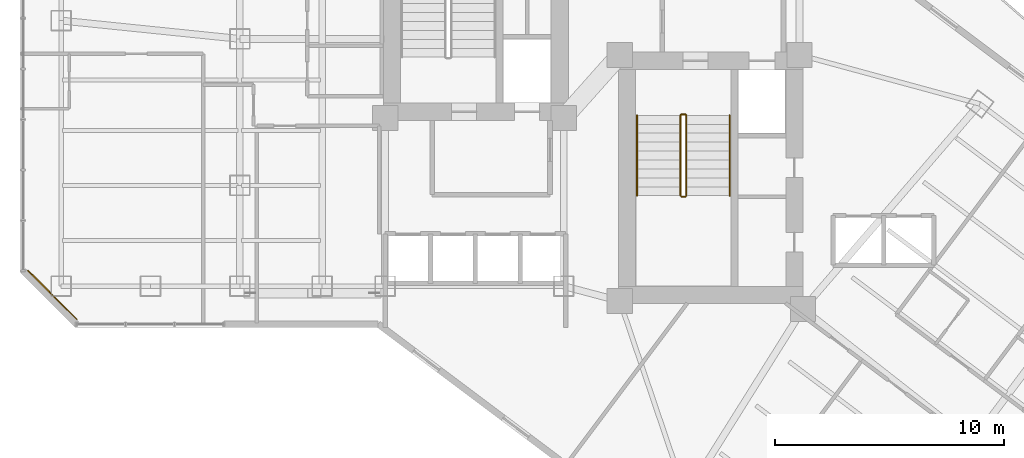
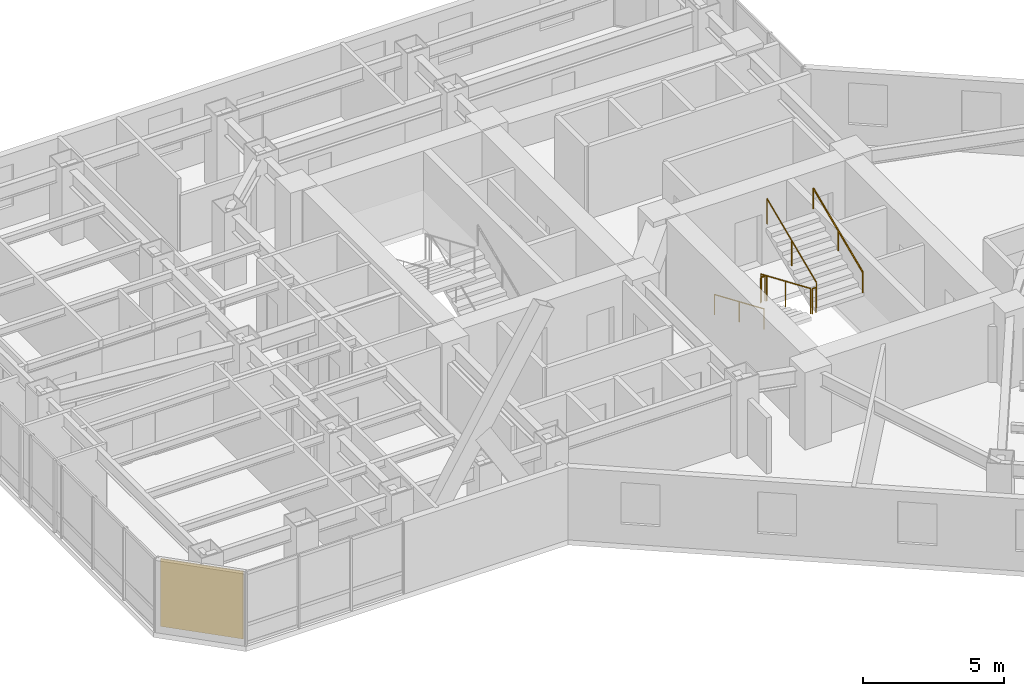
# One storey, part 27 of 30: 7 railings, 1 covering.
"""IFC4 building model written with IfcOpenShell, lengths in metres."""

import ifcopenshell
import ifcopenshell.guid

model = None  # the IFC model being written
_history = None  # IfcOwnerHistory: only IFC2X3 demands one
_inside = {}  # id of a spatial element -> (the spatial element, [elements in it])
_under = {}  # id of a project, library or spatial element -> (it, [spatial elements below it])
_declared = {}  # id of a project -> (the project, [libraries it declares])
_typed = {}  # id of a type object -> (the type object, [elements of that type])
_made_of = {}  # id of a material, layer set ... -> (it, [elements and type objects made of it])


def new_model(schema):
    """Start an empty IFC model of exactly this schema.

    Asked for "IFC4X3", IfcOpenShell would pick the latest addendum, in which some entities
    have other attributes; the version numbers below select the first issue.
    IFC2X3 requires an IfcOwnerHistory on every rooted entity: one is made here for all.
    """
    global model, _history
    if schema == "IFC4X3":
        model = ifcopenshell.file(schema_version=(4, 3, 0, 0))
    else:
        model = ifcopenshell.file(schema=schema)
    _inside.clear()
    _under.clear()
    _declared.clear()
    _typed.clear()
    _made_of.clear()
    _history = None
    if model.schema == "IFC2X3":
        org = make("IfcOrganization", Name="unknown")
        user = make(
            "IfcPersonAndOrganization",
            ThePerson=make("IfcPerson", FamilyName="unknown"),
            TheOrganization=org,
        )
        app = make(
            "IfcApplication",
            ApplicationDeveloper=org,
            Version="unknown",
            ApplicationFullName="unknown",
            ApplicationIdentifier="unknown",
        )
        _history = make(
            "IfcOwnerHistory",
            OwningUser=user,
            OwningApplication=app,
            ChangeAction="ADDED",
            CreationDate=0,
        )
    return model


def make(cls, **values):
    """One entity of the class cls with the attributes given. An attribute that is None is left unset."""
    return model.create_entity(
        cls, **{name: value for name, value in values.items() if value is not None}
    )


def rooted(cls, **values):
    """An entity with a GlobalId (a new one), such as an element, a storey or a relation."""
    return make(cls, GlobalId=ifcopenshell.guid.new(), OwnerHistory=_history, **values)


def si_unit(unit_type, name, prefix=None):
    """IfcSIUnit, for example si_unit("LENGTHUNIT", "METRE", prefix="MILLI")."""
    return make("IfcSIUnit", UnitType=unit_type, Prefix=prefix, Name=name)


def assignment(units):
    """IfcUnitAssignment: the units of a project."""
    return None if units is None else make("IfcUnitAssignment", Units=units)


def point(xyz):
    """IfcCartesianPoint."""
    return None if xyz is None else make("IfcCartesianPoint", Coordinates=xyz)


def direction(xyz):
    """IfcDirection."""
    return None if xyz is None else make("IfcDirection", DirectionRatios=xyz)


def frame(location, z_axis=None, x_axis=None):
    """IfcAxis2Placement3D, a coordinate frame: its origin and axes. An axis left out is left unset."""
    return make(
        "IfcAxis2Placement3D",
        Location=point(location),
        Axis=direction(z_axis),
        RefDirection=direction(x_axis),
    )


def frame_2d(location, x_axis=None):
    """IfcAxis2Placement2D, a coordinate frame in the plane: its origin and x axis."""
    return make(
        "IfcAxis2Placement2D", Location=point(location), RefDirection=direction(x_axis)
    )


def origin():
    """The frame at (0, 0, 0) with its axes left unset."""
    return frame((0.0, 0.0, 0.0))


def origin_2d():
    """The frame at (0, 0) in the plane with its x axis left unset."""
    return frame_2d((0.0, 0.0))


def place(relative_to, where):
    """IfcLocalPlacement: puts the frame where relative to a parent placement (None: the world)."""
    return make(
        "IfcLocalPlacement", PlacementRelTo=relative_to, RelativePlacement=where
    )


def context(
    kind, dimensions, precision=None, world=None, true_north=None, identifier=None
):
    """IfcGeometricRepresentationContext, for example the 3D "Model" context."""
    return make(
        "IfcGeometricRepresentationContext",
        ContextIdentifier=identifier,
        ContextType=kind,
        CoordinateSpaceDimension=dimensions,
        Precision=precision,
        WorldCoordinateSystem=world,
        TrueNorth=true_north,
    )


def subcontext(parent, identifier, kind, view, scale=None):
    """IfcGeometricRepresentationSubContext, for example "Body" below "Model"."""
    return make(
        "IfcGeometricRepresentationSubContext",
        ContextIdentifier=identifier,
        ContextType=kind,
        ParentContext=parent,
        TargetScale=scale,
        TargetView=view,
    )


def project(units=None, contexts=None):
    """IfcProject with its units and contexts."""
    return rooted(
        "IfcProject",
        Name="project",
        RepresentationContexts=contexts,
        UnitsInContext=assignment(units),
    )


def spatial(cls, under=None, at=None, **own):
    """A site, building, storey or space (cls), placed at a placement, below another one or the project."""
    s = rooted(cls, ObjectPlacement=at, **own)
    if under is not None:
        _under.setdefault(under.id(), (under, []))[1].append(s)
    return s


def profile(cls, at=None, kind="AREA", **sizes):
    """A parametric profile (cls). Its sizes go by their IFC names, for example OverallWidth=200.0."""
    return make(cls, ProfileType=kind, Position=at, **sizes)


def rectangle(**sizes):
    """IfcRectangleProfileDef."""
    return profile("IfcRectangleProfileDef", **sizes)


def circle(**sizes):
    """IfcCircleProfileDef."""
    return profile("IfcCircleProfileDef", **sizes)


def extrude(swept, where, along, depth):
    """IfcExtrudedAreaSolid: the profile swept, set in the frame where, extruded along a direction by depth."""
    return make(
        "IfcExtrudedAreaSolid",
        SweptArea=swept,
        Position=where,
        ExtrudedDirection=direction(along),
        Depth=depth,
    )


def shape(context_of_items, identifier, shape_type, items):
    """IfcShapeRepresentation: the items that make up one representation, for example the "Body"."""
    return make(
        "IfcShapeRepresentation",
        ContextOfItems=context_of_items,
        RepresentationIdentifier=identifier,
        RepresentationType=shape_type,
        Items=items,
    )


def material(Name=None, Category=None):
    """IfcMaterial."""
    return make("IfcMaterial", Name=Name, Category=Category)


def layer(
    of_material, thickness, ventilated=None, Name=None, Category=None, Priority=None
):
    """IfcMaterialLayer: one layer of a wall or slab, of a material (None: an air gap)."""
    return make(
        "IfcMaterialLayer",
        Material=of_material,
        LayerThickness=thickness,
        IsVentilated=ventilated,
        Name=Name,
        Category=Category,
        Priority=Priority,
    )


def layer_set(layers, Name=None):
    """IfcMaterialLayerSet."""
    return make("IfcMaterialLayerSet", MaterialLayers=layers, LayerSetName=Name)


def made_of(thing, what):
    """Note that an element or type object is made of a material, layer set ...; save() writes the relation."""
    if what is not None:
        _made_of.setdefault(what.id(), (what, []))[1].append(thing)
    return thing


def type_object(cls, material=None, **own):
    """A type object (cls), such as IfcWallType, which elements share."""
    return made_of(rooted(cls, **own), material)


def element(
    cls,
    number,
    at=None,
    inside=None,
    cuts=None,
    type_object=None,
    material=None,
    context=None,
    identifier="Body",
    shape_type=None,
    held_by="IfcProductDefinitionShape",
    body=None,
    shapes=None,
    **own,
):
    """One element of the class cls, such as IfcWall. Its Tag is "e" and its number.

    at: its placement. inside: the storey or other place that contains it. cuts: it is an
    opening in that element (IfcRelVoidsElement). A single representation is given by context,
    identifier, shape_type and body (its items); several are given by shapes. held_by: the class
    of the entity that holds the representations. save() writes the other relations.
    """
    e = rooted(cls, Tag="e%d" % number, ObjectPlacement=at, **own)
    if body is not None:
        shapes = [shape(context, identifier, shape_type, body)]
    if shapes is not None:
        e.Representation = make(held_by, Representations=shapes)
    if inside is not None:
        _inside.setdefault(inside.id(), (inside, []))[1].append(e)
    if cuts is not None:
        rooted(
            "IfcRelVoidsElement", RelatingBuildingElement=cuts, RelatedOpeningElement=e
        )
    if type_object is not None:
        _typed.setdefault(type_object.id(), (type_object, []))[1].append(e)
    return made_of(e, material)


def aggregate(whole, parts):
    """IfcRelAggregates: a whole, such as a stair, and the parts it consists of."""
    return rooted("IfcRelAggregates", RelatingObject=whole, RelatedObjects=parts)


def save(model, path):
    """Write the relations noted so far, then the file.

    IfcRelAggregates (storeys below a building ...), IfcRelContainedInSpatialStructure (elements
    in a storey), IfcRelDefinesByType, IfcRelAssociatesMaterial and IfcRelDeclares: one each for
    every whole, place, type object, material and project.
    """
    for whole, parts in _under.values():
        aggregate(whole, parts)
    for where, things in _inside.values():
        rooted(
            "IfcRelContainedInSpatialStructure",
            RelatedElements=things,
            RelatingStructure=where,
        )
    for kind, things in _typed.values():
        rooted("IfcRelDefinesByType", RelatedObjects=things, RelatingType=kind)
    for what, things in _made_of.values():
        rooted("IfcRelAssociatesMaterial", RelatedObjects=things, RelatingMaterial=what)
    for by, libraries in _declared.values():
        rooted("IfcRelDeclares", RelatingContext=by, RelatedDefinitions=libraries)
    model.write(path)


model = new_model("IFC4")

# Units and contexts
model_context = context("Model", 3, precision=1e-05, world=origin(), true_north=direction((0.0, 1.0)))
body_context = subcontext(model_context, "Body", "Model", "MODEL_VIEW")
ifc_project = project(units=[si_unit("LENGTHUNIT", "METRE"), si_unit("AREAUNIT", "SQUARE_METRE"), si_unit("VOLUMEUNIT", "CUBIC_METRE"), si_unit("PLANEANGLEUNIT", "RADIAN"), si_unit("MASSUNIT", "GRAM", prefix="KILO")], contexts=[model_context])

# Site, building, storey
site_placement = place(None, origin())
site = spatial("IfcSite", under=ifc_project, at=site_placement, CompositionType="ELEMENT")
building_placement = place(site_placement, origin())
building = spatial("IfcBuilding", under=site, at=building_placement, Name="Hatsunagi Terrace Concourse", CompositionType="ELEMENT")
storey_placement = place(building_placement, frame((0.0, 0.0, 74.60009765625)))
storey = spatial("IfcBuildingStorey", under=building, at=storey_placement, Name="L19", CompositionType="ELEMENT", Elevation=74.60009765625)

# Railings
ifc_material_1 = material(Name="Stainless steel", Category="steel")
ifc_layer_1 = layer(ifc_material_1, 0.044921875)
ifc_layer_set_1 = layer_set([ifc_layer_1], Name="StairPitchHandrail_Tower2000")
railing_type_1 = type_object("IfcRailingType", Name="StairPitchHandrail_Tower2000", PredefinedType="HANDRAIL", material=ifc_layer_set_1)
railing_1_placement = place(storey_placement, frame((36.550048828125, 32.659912109375, 0.16748046875)))
element("IfcRailing", 1, at=railing_1_placement, inside=storey, type_object=railing_type_1, Name="L19 ST-B stair handrail 1", PredefinedType="HANDRAIL", context=body_context, shape_type="SweptSolid", body=[
    extrude(circle(Radius=0.02392578125, at=origin_2d()), frame((0.0, 0.0, 0.8759765625), z_axis=(0.0, -0.918857182807, 0.394590265469), x_axis=(1.0, 0.0, 0.0)), (0.0, 0.0, 1.0), 3.820068359375),
    extrude(circle(Radius=0.02099609375, at=origin_2d()), origin(), (0.0, 0.0, 1.0), 0.851806640625),
    extrude(circle(Radius=0.02099609375, at=origin_2d()), frame((0.0, -1.7548828125, 0.753662109375)), (0.0, 0.0, 1.0), 0.851806640625),
    extrude(circle(Radius=0.02099609375, at=origin_2d()), frame((0.0, -3.510009765625, 1.50732421875)), (0.0, 0.0, 1.0), 0.851806640625),
])
railing_2_placement = place(storey_placement, frame((40.60009765625, 29.14990234375, 1.84228515625)))
element("IfcRailing", 2, at=railing_2_placement, inside=storey, type_object=railing_type_1, Name="L19 ST-B stair handrail 2", PredefinedType="HANDRAIL", context=body_context, shape_type="SweptSolid", body=[
    extrude(circle(Radius=0.02392578125, at=origin_2d()), frame((0.0, 0.0, 0.8759765625), z_axis=(0.0, 0.918834009242, 0.394644223904), x_axis=(-1.0, 0.0, 0.0)), (0.0, 0.0, 1.0), 3.820068359375),
    extrude(circle(Radius=0.02099609375, at=origin_2d()), origin(), (0.0, 0.0, 1.0), 0.851806640625),
    extrude(circle(Radius=0.02099609375, at=origin_2d()), frame((0.0, 1.7548828125, 0.75390625)), (0.0, 0.0, 1.0), 0.851806640625),
    extrude(circle(Radius=0.02099609375, at=origin_2d()), frame((0.0, 3.510009765625, 1.507568359375)), (0.0, 0.0, 1.0), 0.851806640625),
])
ifc_material_2 = material(Name="Stainless steel", Category="steel")
ifc_layer_2 = layer(ifc_material_2, 0.06005859375)
ifc_layer_set_2 = layer_set([ifc_layer_2], Name="StairWellGuard_Tower2000")
railing_type_2 = type_object("IfcRailingType", Name="StairWellGuard_Tower2000", PredefinedType="BALUSTRADE", material=ifc_layer_set_2)
railing_3_placement = place(storey_placement, frame((38.449951171875, 32.659912109375, 0.16748046875)))
element("IfcRailing", 3, at=railing_3_placement, inside=storey, type_object=railing_type_2, Name="L19 ST-B stair guard 1", PredefinedType="BALUSTRADE", context=body_context, shape_type="SweptSolid", body=[
    extrude(circle(Radius=0.02392578125, at=origin_2d()), frame((0.0, 0.0, 1.09619140625), z_axis=(0.0, -0.918857182807, 0.394590265469), x_axis=(1.0, 0.0, 0.0)), (0.0, 0.0, 1.0), 3.820068359375),
    extrude(circle(Radius=0.02099609375, at=origin_2d()), origin(), (0.0, 0.0, 1.0), 1.072021484375),
    extrude(circle(Radius=0.02099609375, at=origin_2d()), frame((0.0, -1.7548828125, 0.753662109375)), (0.0, 0.0, 1.0), 1.072021484375),
    extrude(circle(Radius=0.02099609375, at=origin_2d()), frame((0.0, -3.510009765625, 1.50732421875)), (0.0, 0.0, 1.0), 1.072021484375),
])
railing_4_placement = place(storey_placement, frame((38.5, 29.10009765625, 1.6748046875)))
element("IfcRailing", 4, at=railing_4_placement, inside=storey, type_object=railing_type_2, Name="L19 ST-B stair guard 2", PredefinedType="BALUSTRADE", context=body_context, shape_type="SweptSolid", body=[
    extrude(circle(Radius=0.02392578125, at=origin_2d()), frame((0.0, 0.0, 1.09619140625), z_axis=(1.0, 0.0, 0.0), x_axis=(0.0, 1.0, 0.0)), (0.0, 0.0, 1.0), 0.14990234375),
    extrude(circle(Radius=0.02099609375, at=origin_2d()), origin(), (0.0, 0.0, 1.0), 1.072021484375),
    extrude(circle(Radius=0.02099609375, at=origin_2d()), frame((0.14990234375, 0.0, 0.0)), (0.0, 0.0, 1.0), 1.072021484375),
])
railing_5_placement = place(storey_placement, frame((38.699951171875, 29.14990234375, 1.84228515625)))
element("IfcRailing", 5, at=railing_5_placement, inside=storey, type_object=railing_type_2, Name="L19 ST-B stair guard 3", PredefinedType="BALUSTRADE", context=body_context, shape_type="SweptSolid", body=[
    extrude(circle(Radius=0.02392578125, at=origin_2d()), frame((0.0, 0.0, 1.09619140625), z_axis=(0.0, 0.918834009242, 0.394644223904), x_axis=(-1.0, 0.0, 0.0)), (0.0, 0.0, 1.0), 3.820068359375),
    extrude(circle(Radius=0.02099609375, at=origin_2d()), origin(), (0.0, 0.0, 1.0), 1.072021484375),
    extrude(circle(Radius=0.02099609375, at=origin_2d()), frame((0.0, 1.7548828125, 0.75390625)), (0.0, 0.0, 1.0), 1.072021484375),
    extrude(circle(Radius=0.02099609375, at=origin_2d()), frame((0.0, 3.510009765625, 1.507568359375)), (0.0, 0.0, 1.0), 1.072021484375),
])
railing_6_placement = place(storey_placement, frame((38.5, 32.7099609375, 0.0)))
element("IfcRailing", 6, at=railing_6_placement, inside=storey, type_object=railing_type_2, Name="L19 ST-B stair guard 4", PredefinedType="BALUSTRADE", context=body_context, shape_type="SweptSolid", body=[
    extrude(circle(Radius=0.02392578125, at=origin_2d()), frame((0.0, 0.0, 1.09619140625), z_axis=(1.0, 0.0, 0.0), x_axis=(0.0, 1.0, 0.0)), (0.0, 0.0, 1.0), 0.14990234375),
    extrude(circle(Radius=0.02099609375, at=origin_2d()), origin(), (0.0, 0.0, 1.0), 1.072021484375),
    extrude(circle(Radius=0.02099609375, at=origin_2d()), frame((0.14990234375, 0.0, 0.0)), (0.0, 0.0, 1.0), 1.072021484375),
])
ifc_material_3 = material(Name="Stainless Steel SUS316 Post-and-Rail Guard", Category="steel")
ifc_layer_3 = layer(ifc_material_3, 0.080078125)
ifc_layer_set_3 = layer_set([ifc_layer_3], Name="TerracePlantedGuardRail_1200")
railing_type_3 = type_object("IfcRailingType", Name="TerracePlantedGuardRail_1200", PredefinedType="GUARDRAIL", material=ifc_layer_set_3)
railing_7_placement = place(storey_placement, frame((38.449951171875, 32.679931640625, 0.0)))
element("IfcRailing", 7, at=railing_7_placement, inside=storey, type_object=railing_type_3, Name="Stair ST-B Well Closure Guard L19", PredefinedType="GUARDRAIL", context=body_context, shape_type="SweptSolid", body=[
    extrude(circle(Radius=0.02392578125, at=origin_2d()), frame((0.0, 0.0, 1.09619140625), z_axis=(1.0, 0.0, 0.0), x_axis=(0.0, 1.0, 0.0)), (0.0, 0.0, 1.0), 0.25),
    extrude(circle(Radius=0.02099609375, at=origin_2d()), origin(), (0.0, 0.0, 1.0), 1.072021484375),
    extrude(circle(Radius=0.02099609375, at=origin_2d()), frame((0.25, 0.0, 0.0)), (0.0, 0.0, 1.0), 1.072021484375),
])

# Covering
ifc_material_4 = material(Name="Unglazed Warm Terracotta Rainscreen Tile", Category="masonry")
ifc_layer_4 = layer(ifc_material_4, 0.044921875)
ifc_layer_set_4 = layer_set([ifc_layer_4], Name="TerracottaRainscreenCladding_45")
covering_type = type_object("IfcCoveringType", Name="TerracottaRainscreenCladding_45", PredefinedType="CLADDING", material=ifc_layer_set_4)
covering_placement = place(storey_placement, frame((11.013916015625, 24.81396484375, 0.10009765625), z_axis=(0.0, 0.0, 1.0), x_axis=(-0.707106781187, 0.707106781187, 0.0)))
element("IfcCovering", 8, at=covering_placement, inside=storey, type_object=covering_type, Name="Terracotta Rainscreen Cladding L19-08", PredefinedType="CLADDING", context=body_context, shape_type="SweptSolid", body=[
    extrude(rectangle(XDim=3.0380859375, YDim=0.044921875, at=origin_2d()), origin(), (0.0, 0.0, 1.0), 2.929931640625),
])

save(model, "model.ifc")
